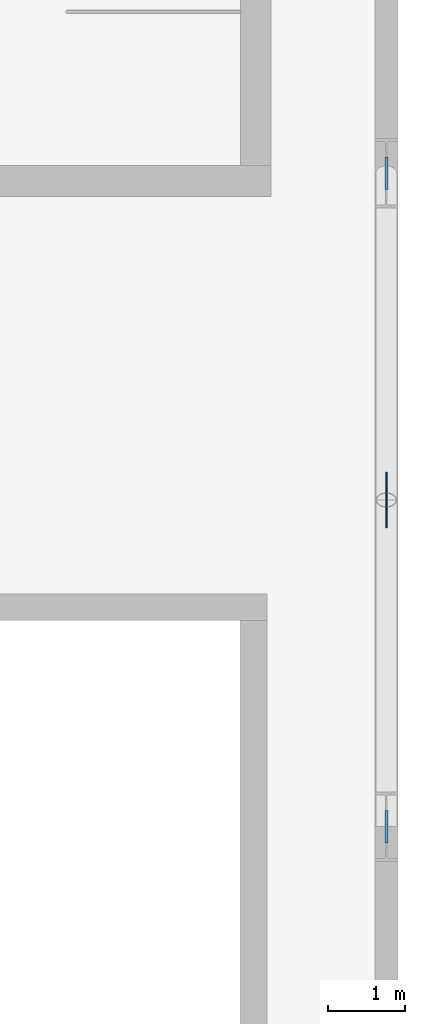
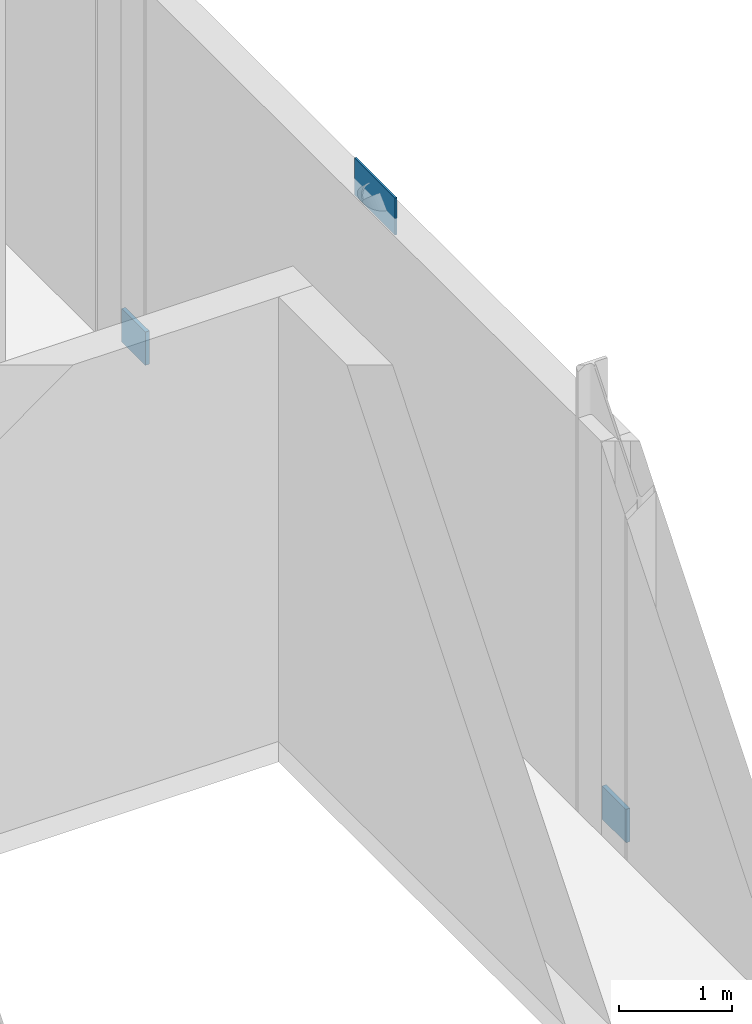
# One storey, part 46 of 63: 3 plates.
"""IFC4 building model written with IfcOpenShell, lengths in metres."""

from ifc_helpers import new_model, si_unit, direction, frame, origin, origin_2d, place, context, subcontext, project, spatial, rectangle, extrude, material, layer, layer_set, type_object, element, save


model = new_model("IFC4")

# Units and contexts
model_context = context("Model", 3, precision=1e-05, world=origin(), true_north=direction((0.0, 1.0)))
body_context = subcontext(model_context, "Body", "Model", "MODEL_VIEW")
ifc_project = project(units=[si_unit("LENGTHUNIT", "METRE"), si_unit("AREAUNIT", "SQUARE_METRE"), si_unit("VOLUMEUNIT", "CUBIC_METRE"), si_unit("PLANEANGLEUNIT", "RADIAN"), si_unit("MASSUNIT", "GRAM", prefix="KILO")], contexts=[model_context])

# Site, building, storey
site_placement = place(None, origin())
site = spatial("IfcSite", under=ifc_project, at=site_placement, CompositionType="ELEMENT")
building_placement = place(site_placement, origin())
building = spatial("IfcBuilding", under=site, at=building_placement, Name="Sefraquen Railside Congress Hotel", CompositionType="ELEMENT")
storey_placement = place(building_placement, frame((0.0, 0.0, 11.39990234375)))
storey = spatial("IfcBuildingStorey", under=building, at=storey_placement, Name="L02", CompositionType="ELEMENT", Elevation=11.39990234375)

# Plates
ifc_material = material(Name="Steel S355J2", Category="steel")
ifc_layer_1 = layer(ifc_material, 0.02001953125)
ifc_layer_set_1 = layer_set([ifc_layer_1], Name="Steel S355J2")
plate_type_1 = type_object("IfcPlateType", Name="TP-GUS-01", PredefinedType="SHEET", material=ifc_layer_set_1)
plate_placement = place(storey_placement, frame((172.0, 75.25, 4.070068359375), z_axis=(0.0, 0.0, 1.0), x_axis=(0.0, 1.0, 0.0)))
element("IfcPlate", 1, at=plate_placement, inside=storey, type_object=plate_type_1, Name="Chevron braced-frame apex gusset plate BF3 L02", PredefinedType="SHEET", context=body_context, shape_type="SweptSolid", body=[
    extrude(rectangle(XDim=0.719970703125, YDim=0.02001953125, at=origin_2d()), origin(), (0.0, 0.0, 1.0), 0.39990234375),
])
ifc_layer_2 = layer(ifc_material, 0.0400390625)
ifc_layer_set_2 = layer_set([ifc_layer_2], Name="Steel S355J2")
plate_type_2 = type_object("IfcPlateType", Name="TP-GUS-02", PredefinedType="SHEET", material=ifc_layer_set_2)
for number, where, z_axis, x_axis, name in (
    (2, (172.0, 71.0, 0.0), (0.0, 0.0, 1.0), (0.0, 1.0, 0.0), "Chevron braced-frame base gusset plate BF3-L L02"),
    (3, (172.0, 79.5, 0.0), (0.0, 0.0, 1.0), (0.0, 1.0, 0.0), "Chevron braced-frame base gusset plate BF3-R L02"),
):
    element("IfcPlate", number, at=place(storey_placement, frame(where, z_axis=z_axis, x_axis=x_axis)), inside=storey, type_object=plate_type_2, Name=name, PredefinedType="SHEET", context=body_context, shape_type="SweptSolid", body=[
        extrude(rectangle(XDim=0.419921875, YDim=0.0400390625, at=origin_2d()), origin(), (0.0, 0.0, 1.0), 0.360107421875),
    ])

save(model, "model.ifc")
